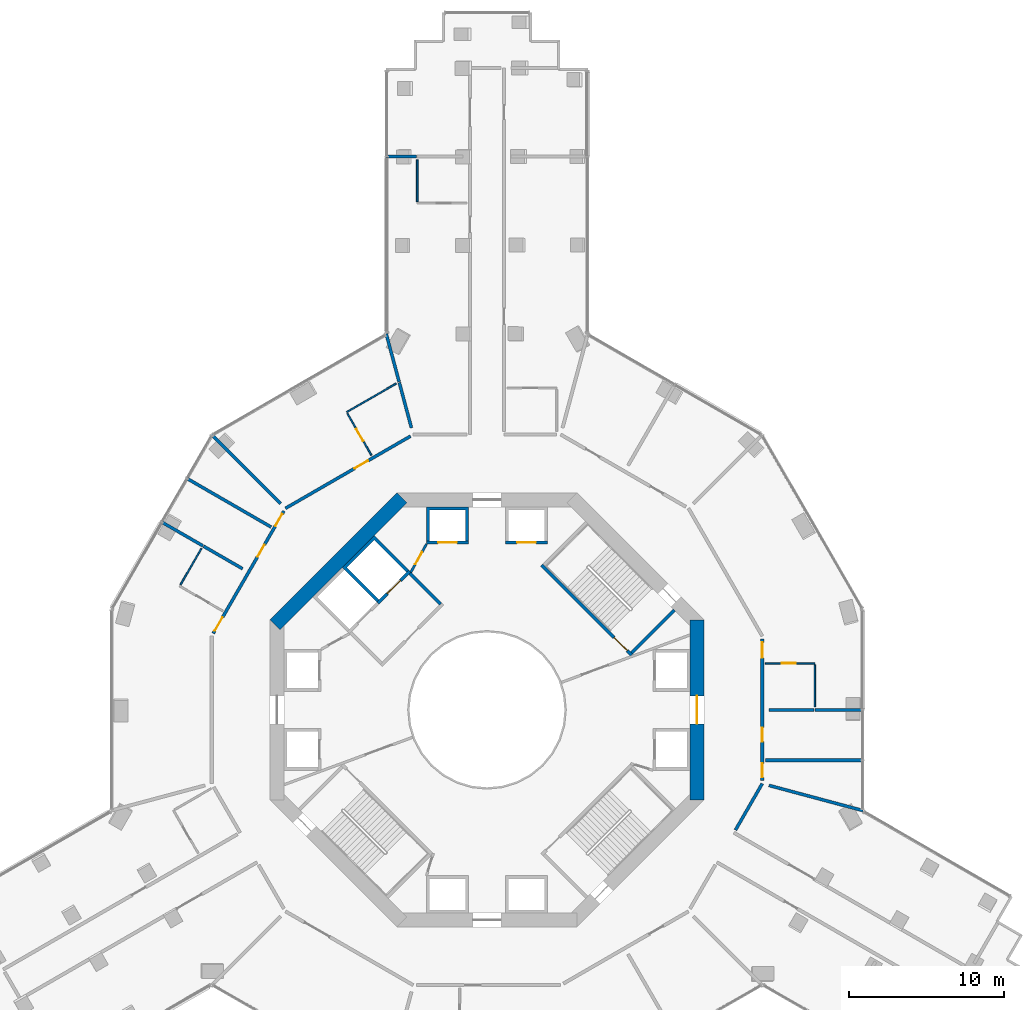
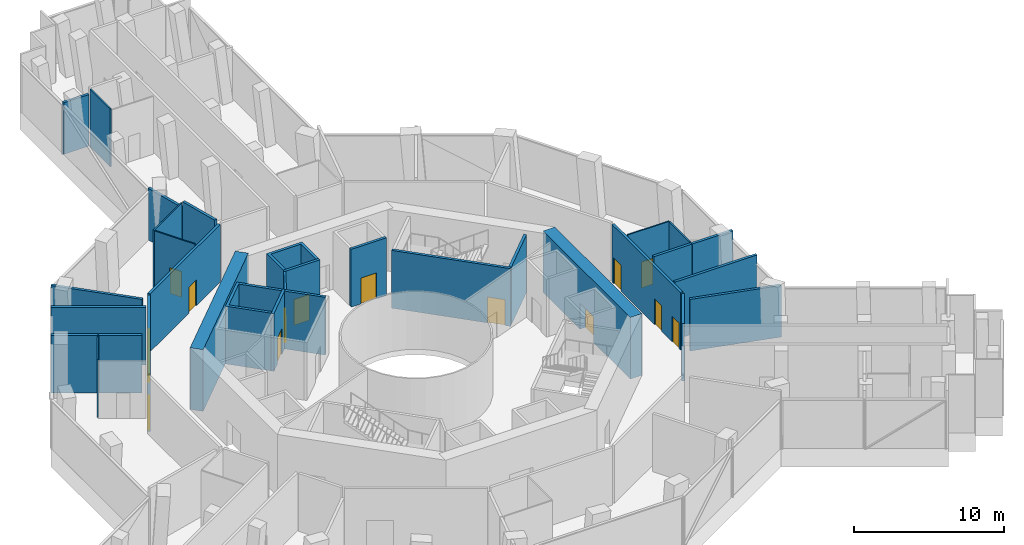
# One storey, part 11 of 16: 32 walls, 15 doors, 15 openings.
"""IFC4 building model written with IfcOpenShell, lengths in metres."""

from ifc_helpers import new_model, si_unit, direction, frame, frame_2d, origin, place, context, subcontext, project, spatial, polyline, rectangle, outline, extrude, material, layer, layer_set, type_object, element, fill, save


model = new_model("IFC4")

# Units and contexts
model_context = context("Model", 3, precision=1e-05, world=origin(), true_north=direction((0.0, 1.0)))
body_context = subcontext(model_context, "Body", "Model", "MODEL_VIEW")
ifc_project = project(units=[si_unit("LENGTHUNIT", "METRE"), si_unit("AREAUNIT", "SQUARE_METRE"), si_unit("VOLUMEUNIT", "CUBIC_METRE"), si_unit("PLANEANGLEUNIT", "RADIAN"), si_unit("MASSUNIT", "GRAM", prefix="KILO")], contexts=[model_context])

# Site, building, storey
site_placement = place(None, origin())
site = spatial("IfcSite", under=ifc_project, at=site_placement, CompositionType="ELEMENT")
building_placement = place(site_placement, origin())
building = spatial("IfcBuilding", under=site, at=building_placement, Name="Verdalira Terraces Hotel", CompositionType="ELEMENT")
storey_placement = place(building_placement, frame((0.0, 0.0, 34.0)))
storey = spatial("IfcBuildingStorey", under=building, at=storey_placement, Name="L06", CompositionType="ELEMENT", Elevation=34.0)

# Wall
ifc_material_1 = material(Name="Moisture-resistant gypsum board partition")
ifc_layer_1 = layer(ifc_material_1, 0.10009765625)
ifc_layer_set_1 = layer_set([ifc_layer_1], Name="Bathroom partition 100 mm")
wall_type_1 = type_object("IfcWallType", Name="Bathroom partition 100 mm", PredefinedType="PARTITIONING", material=ifc_layer_set_1)
wall_1_placement = place(storey_placement, frame((-19.773682, 8.067627, 0.0), z_axis=(0.0, 0.0, 1.0), x_axis=(0.500009434, 0.866019957, 0.0)))
element("IfcWall", 1, at=wall_1_placement, inside=storey, type_object=wall_type_1, Name="Bathroom partition", PredefinedType="PARTITIONING", context=body_context, shape_type="SweptSolid", body=[
    extrude(rectangle(XDim=2.700195, YDim=0.100098, at=frame_2d((1.350098, 0.0))), origin(), (0.0, 0.0, 1.0), 4.689941),
])

# Wall, opening, door
wall_2_placement = place(storey_placement, frame((-9.006348, 19.116211, 0.0), z_axis=(0.0, 0.0, 1.0), x_axis=(0.499992859, -0.866029527, 0.0)))
wall_2 = element("IfcWall", 2, at=wall_2_placement, inside=storey, type_object=wall_type_1, Name="Bathroom partition", PredefinedType="PARTITIONING", context=body_context, shape_type="SweptSolid", body=[
    extrude(rectangle(XDim=3.100098, YDim=0.100098, at=frame_2d((1.550049, 0.0))), origin(), (0.0, 0.0, 1.0), 4.689941),
])
opening_1_placement = place(wall_2_placement, frame((1.149902, 0.0, 0.0)))
opening_1 = element("IfcOpeningElement", 3, at=opening_1_placement, cuts=wall_2, Name="Opening L06-108", PredefinedType="OPENING", context=body_context, shape_type="SweptSolid", body=[
    extrude(rectangle(XDim=0.899902, YDim=2.100098, at=frame_2d((0.449951, 1.050049))), frame((0.0, 0.060059, 0.0), z_axis=(0.0, -1.0, 0.0), x_axis=(1.0, 0.0, 0.0)), (0.0, 0.0, 1.0), 0.120117),
])
ifc_material_2 = material(Name="Timber door", Category="wood")
door_type_1 = type_object("IfcDoorType", Name="Bathroom door 900 x 2100", OperationType="NOTDEFINED", PredefinedType="DOOR", material=ifc_material_2)
door_1_placement = place(opening_1_placement, origin())
door_1 = element("IfcDoor", 4, at=door_1_placement, inside=storey, type_object=door_type_1, Name="Bathroom door 0605", OperationType="SINGLE_SWING_LEFT", OverallHeight=2.10009765625, OverallWidth=0.89990234375, PredefinedType="DOOR", context=body_context, shape_type="SweptSolid", body=[
    extrude(rectangle(XDim=0.899902, YDim=2.100098, at=frame_2d((0.449951, 1.050049))), frame((0.0, 0.024902, 0.0), z_axis=(0.0, -1.0, 0.0), x_axis=(1.0, 0.0, 0.0)), (0.0, 0.0, 1.0), 0.050049),
])
fill(opening_1, door_1)

# Walls
wall_3_placement = place(storey_placement, frame((-9.056396, 19.202881, 0.0), z_axis=(0.0, 0.0, 1.0), x_axis=(0.866048384, 0.499960194, 0.0)))
element("IfcWall", 5, at=wall_3_placement, inside=storey, type_object=wall_type_1, Name="Bathroom partition", PredefinedType="PARTITIONING", context=body_context, shape_type="SweptSolid", body=[
    extrude(rectangle(XDim=3.703857, YDim=0.100098, at=frame_2d((1.852051, 0.0))), origin(), (0.0, 0.0, 1.0), 4.689941),
])
wall_4_placement = place(storey_placement, frame((-4.5, 32.786133, 0.0), z_axis=(0.0, 0.0, 1.0), x_axis=(0.0, 1.0, 0.0)))
element("IfcWall", 6, at=wall_4_placement, inside=storey, type_object=wall_type_1, Name="Bathroom partition", PredefinedType="PARTITIONING", context=body_context, shape_type="SweptSolid", body=[
    extrude(rectangle(XDim=2.699951, YDim=0.100098, at=frame_2d((1.350098, 0.0))), origin(), (0.0, 0.0, 1.0), 4.689941),
])

# Wall, opening, door
wall_5_placement = place(storey_placement, frame((21.158203, 3.0, 0.0), z_axis=(0.0, 0.0, 1.0), x_axis=(-1.0, 0.0, 0.0)))
wall_5 = element("IfcWall", 7, at=wall_5_placement, inside=storey, type_object=wall_type_1, Name="Bathroom partition", PredefinedType="PARTITIONING", context=body_context, shape_type="SweptSolid", body=[
    extrude(rectangle(XDim=3.199951, YDim=0.100098, at=frame_2d((1.600098, 0.0))), origin(), (0.0, 0.0, 1.0), 4.689941),
])
opening_2_placement = place(wall_5_placement, frame((1.25, 0.0, 0.0)))
opening_2 = element("IfcOpeningElement", 8, at=opening_2_placement, cuts=wall_5, Name="Opening L06-123", PredefinedType="OPENING", context=body_context, shape_type="SweptSolid", body=[
    extrude(rectangle(XDim=0.899902, YDim=2.100098, at=frame_2d((0.449951, 1.050049))), frame((0.0, 0.060059, 0.0), z_axis=(0.0, -1.0, 0.0), x_axis=(1.0, 0.0, 0.0)), (0.0, 0.0, 1.0), 0.120117),
])
door_2_placement = place(opening_2_placement, origin())
door_2 = element("IfcDoor", 9, at=door_2_placement, inside=storey, type_object=door_type_1, Name="Bathroom door 0615", OperationType="SINGLE_SWING_LEFT", OverallHeight=2.10009765625, OverallWidth=0.89990234375, PredefinedType="DOOR", context=body_context, shape_type="SweptSolid", body=[
    extrude(rectangle(XDim=0.899902, YDim=2.100098, at=frame_2d((0.449951, 1.050049))), frame((0.0, 0.024902, 0.0), z_axis=(0.0, -1.0, 0.0), x_axis=(1.0, 0.0, 0.0)), (0.0, 0.0, 1.0), 0.050049),
])
fill(opening_2, door_2)

# Wall
wall_6_placement = place(storey_placement, frame((21.158203, 2.899902, 0.0), z_axis=(0.0, 0.0, 1.0), x_axis=(0.0, -1.0, 0.0)))
element("IfcWall", 10, at=wall_6_placement, inside=storey, type_object=wall_type_1, Name="Bathroom partition", PredefinedType="PARTITIONING", context=body_context, shape_type="SweptSolid", body=[
    extrude(rectangle(XDim=2.699951, YDim=0.100098, at=frame_2d((1.350098, 0.0))), origin(), (0.0, 0.0, 1.0), 4.689941),
])

# Wall, opening, door
ifc_material_3 = material(Name="Concrete C50", Category="concrete")
ifc_layer_2 = layer(ifc_material_3, 0.199951171875)
ifc_layer_set_2 = layer_set([ifc_layer_2], Name="Core RC wall 200 C50")
wall_type_2 = type_object("IfcWallType", Name="Core RC wall 200 C50", PredefinedType="SOLIDWALL", material=ifc_layer_set_2)
wall_7_placement = place(storey_placement, frame((1.199951, 10.800049, 0.0), z_axis=(0.0, 0.0, 1.0), x_axis=(1.0, 0.0, 0.0)))
wall_7 = element("IfcWall", 11, at=wall_7_placement, inside=storey, type_object=wall_type_2, Name="L06 shaft front wall N1", PredefinedType="SOLIDWALL", context=body_context, shape_type="SweptSolid", body=[
    extrude(rectangle(XDim=2.699951, YDim=0.199951, at=frame_2d((1.350098, 0.0))), origin(), (0.0, 0.0, 1.0), 4.689941),
])
opening_3_placement = place(wall_7_placement, frame((0.75, 0.0, 0.0)))
opening_3 = element("IfcOpeningElement", 12, at=opening_3_placement, cuts=wall_7, Name="Opening LD-L06-803", PredefinedType="OPENING", context=body_context, shape_type="SweptSolid", body=[
    extrude(rectangle(XDim=1.199951, YDim=2.100098, at=frame_2d((0.600098, 1.050049))), frame((0.0, 0.109863, 0.0), z_axis=(0.0, -1.0, 0.0), x_axis=(1.0, 0.0, 0.0)), (0.0, 0.0, 1.0), 0.219971),
])
ifc_material_4 = material(Name="Stainless steel", Category="steel")
door_type_2 = type_object("IfcDoorType", Name="Landing door 1200 x 2100", OperationType="NOTDEFINED", PredefinedType="DOOR", material=ifc_material_4)
door_3_placement = place(opening_3_placement, origin())
door_3 = element("IfcDoor", 13, at=door_3_placement, inside=storey, type_object=door_type_2, Name="Lift landing door LR3 L06", OperationType="DOUBLE_DOOR_SLIDING", OverallHeight=2.10009765625, OverallWidth=1.199951171875, PredefinedType="DOOR", context=body_context, shape_type="SweptSolid", body=[
    extrude(rectangle(XDim=1.199951, YDim=2.100098, at=frame_2d((0.600098, 1.050049))), frame((0.0, 0.024902, 0.0), z_axis=(0.0, -1.0, 0.0), x_axis=(1.0, 0.0, 0.0)), (0.0, 0.0, 1.0), 0.050049),
])
fill(opening_3, door_3)

# Wall
wall_8_placement = place(storey_placement, origin())
element("IfcWall", 14, at=wall_8_placement, inside=storey, type_object=wall_type_2, Name="L06 shaft wall N2", PredefinedType="SOLIDWALL", context=body_context, shape_type="SweptSolid", body=[
    extrude(outline(polyline([(-3.899902, 10.899902), (-3.899902, 13.100098), (-1.199951, 13.100098), (-1.199951, 10.899902), (-1.399902, 10.899902), (-1.399902, 12.899902), (-3.699951, 12.899902), (-3.699951, 10.899902), (-3.899902, 10.899902)])), origin(), (0.0, 0.0, 1.0), 4.689941),
])

# Wall, opening, door
wall_9_placement = place(storey_placement, frame((-1.199951, 10.800049, 0.0), z_axis=(0.0, 0.0, 1.0), x_axis=(-1.0, 0.0, 0.0)))
wall_9 = element("IfcWall", 15, at=wall_9_placement, inside=storey, type_object=wall_type_2, Name="L06 shaft front wall N2", PredefinedType="SOLIDWALL", context=body_context, shape_type="SweptSolid", body=[
    extrude(rectangle(XDim=2.699951, YDim=0.199951, at=frame_2d((1.350098, 0.0))), origin(), (0.0, 0.0, 1.0), 4.689941),
])
opening_4_placement = place(wall_9_placement, frame((0.75, 0.0, 0.0)))
opening_4 = element("IfcOpeningElement", 16, at=opening_4_placement, cuts=wall_9, Name="Opening LD-L06-804", PredefinedType="OPENING", context=body_context, shape_type="SweptSolid", body=[
    extrude(rectangle(XDim=1.199951, YDim=2.100098, at=frame_2d((0.600098, 1.050049))), frame((0.0, 0.109863, 0.0), z_axis=(0.0, -1.0, 0.0), x_axis=(1.0, 0.0, 0.0)), (0.0, 0.0, 1.0), 0.219971),
])
door_4_placement = place(opening_4_placement, origin())
door_4 = element("IfcDoor", 17, at=door_4_placement, inside=storey, type_object=door_type_2, Name="Lift landing door LR4 L06", OperationType="DOUBLE_DOOR_SLIDING", OverallHeight=2.10009765625, OverallWidth=1.199951171875, PredefinedType="DOOR", context=body_context, shape_type="SweptSolid", body=[
    extrude(rectangle(XDim=1.199951, YDim=2.100098, at=frame_2d((0.600098, 1.050049))), frame((0.0, 0.024902, 0.0), z_axis=(0.0, -1.0, 0.0), x_axis=(1.0, 0.0, 0.0)), (0.0, 0.0, 1.0), 0.050049),
])
fill(opening_4, door_4)

# Wall
wall_10_placement = place(storey_placement, origin())
element("IfcWall", 18, at=wall_10_placement, inside=storey, type_object=wall_type_2, Name="L06 shaft wall F1", PredefinedType="SOLIDWALL", context=body_context, shape_type="SweptSolid", body=[
    extrude(outline(polyline([(-9.33374, 9.192383), (-7.283203, 11.24292), (-5.055908, 9.015625), (-5.197266, 8.874268), (-7.283203, 10.960205), (-9.051025, 9.192383), (-6.965088, 7.106445), (-7.106445, 6.965088), (-9.33374, 9.192383)])), origin(), (0.0, 0.0, 1.0), 4.689941),
])

# Wall, opening, door
wall_11_placement = place(storey_placement, frame((-4.985107, 8.944824, 0.0), z_axis=(0.0, 0.0, 1.0), x_axis=(-0.707106781, -0.707106781, 0.0)))
wall_11 = element("IfcWall", 19, at=wall_11_placement, inside=storey, type_object=wall_type_2, Name="L06 shaft front wall F1", PredefinedType="SOLIDWALL", context=body_context, shape_type="SweptSolid", body=[
    extrude(rectangle(XDim=2.899902, YDim=0.199951, at=frame_2d((1.449951, 0.0))), origin(), (0.0, 0.0, 1.0), 4.689941),
])
opening_5_placement = place(wall_11_placement, frame((0.850098, 0.0, 0.0)))
opening_5 = element("IfcOpeningElement", 20, at=opening_5_placement, cuts=wall_11, Name="Opening LD-L06-807", PredefinedType="OPENING", context=body_context, shape_type="SweptSolid", body=[
    extrude(rectangle(XDim=1.199951, YDim=2.100098, at=frame_2d((0.600098, 1.050049))), frame((0.0, 0.109863, 0.0), z_axis=(0.0, -1.0, 0.0), x_axis=(1.0, 0.0, 0.0)), (0.0, 0.0, 1.0), 0.219971),
])
door_5_placement = place(opening_5_placement, origin())
door_5 = element("IfcDoor", 21, at=door_5_placement, inside=storey, type_object=door_type_2, Name="Lift landing door LF11 L06", OperationType="DOUBLE_DOOR_SLIDING", OverallHeight=2.10009765625, OverallWidth=1.199951171875, PredefinedType="DOOR", context=body_context, shape_type="SweptSolid", body=[
    extrude(rectangle(XDim=1.199951, YDim=2.100098, at=frame_2d((0.600098, 1.050049))), frame((0.0, 0.024902, 0.0), z_axis=(0.0, -1.0, 0.0), x_axis=(1.0, 0.0, 0.0)), (0.0, 0.0, 1.0), 0.050049),
])
fill(opening_5, door_5)

wall_12_placement = place(storey_placement, frame((3.5354, 9.33374, 0.0), z_axis=(0.0, 0.0, 1.0), x_axis=(0.707106781, -0.707106781, 0.0)))
wall_12 = element("IfcWall", 22, at=wall_12_placement, inside=storey, type_object=wall_type_2, Name="L06 stair ST1 front wall", PredefinedType="SOLIDWALL", context=body_context, shape_type="SweptSolid", body=[
    extrude(rectangle(XDim=8.200195, YDim=0.199951, at=frame_2d((4.100098, 0.0))), origin(), (0.0, 0.0, 1.0), 4.689941),
])
opening_6_placement = place(wall_12_placement, frame((6.600098, 0.0, 0.0)))
opening_6 = element("IfcOpeningElement", 23, at=opening_6_placement, cuts=wall_12, Name="Opening L06-809", PredefinedType="OPENING", context=body_context, shape_type="SweptSolid", body=[
    extrude(rectangle(XDim=1.199951, YDim=2.100098, at=frame_2d((0.600098, 1.050049))), frame((0.0, 0.109863, 0.0), z_axis=(0.0, -1.0, 0.0), x_axis=(1.0, 0.0, 0.0)), (0.0, 0.0, 1.0), 0.219971),
])
ifc_material_5 = material(Name="Steel fire door", Category="steel")
door_type_3 = type_object("IfcDoorType", Name="Stair door 1200 x 2100", OperationType="NOTDEFINED", PredefinedType="DOOR", material=ifc_material_5)
door_6_placement = place(opening_6_placement, origin())
door_6 = element("IfcDoor", 24, at=door_6_placement, inside=storey, type_object=door_type_3, Name="Stair door ST1 L06", OperationType="SINGLE_SWING_RIGHT", OverallHeight=2.10009765625, OverallWidth=1.199951171875, PredefinedType="DOOR", context=body_context, shape_type="SweptSolid", body=[
    extrude(rectangle(XDim=1.199951, YDim=2.100098, at=frame_2d((0.600098, 1.050049))), frame((0.0, 0.024902, 0.0), z_axis=(0.0, -1.0, 0.0), x_axis=(1.0, 0.0, 0.0)), (0.0, 0.0, 1.0), 0.050049),
])
fill(opening_6, door_6)

# Walls
wall_13_placement = place(storey_placement, frame((9.33374, 3.677002, 0.0), z_axis=(0.0, 0.0, 1.0), x_axis=(0.707106781, 0.707106781, 0.0)))
element("IfcWall", 25, at=wall_13_placement, inside=storey, type_object=wall_type_2, Name="L06 stair ST1 end wall 1", PredefinedType="SOLIDWALL", context=body_context, shape_type="SweptSolid", body=[
    extrude(rectangle(XDim=3.900146, YDim=0.199951, at=frame_2d((1.950195, 0.0))), origin(), (0.0, 0.0, 1.0), 4.689941),
])
wall_14_placement = place(storey_placement, frame((-3.005127, 6.823486, 0.0), z_axis=(0.0, 0.0, 1.0), x_axis=(-0.707106781, 0.707106781, 0.0)))
element("IfcWall", 26, at=wall_14_placement, inside=storey, type_object=wall_type_2, Name="L06 fire lobby wall", PredefinedType="SOLIDWALL", context=body_context, shape_type="SweptSolid", body=[
    extrude(rectangle(XDim=2.800049, YDim=0.199951, at=frame_2d((1.399902, 0.0))), origin(), (0.0, 0.0, 1.0), 4.689941),
])

# Wall, opening, door
ifc_material_6 = material(Name="Gypsum board partition")
ifc_layer_3 = layer(ifc_material_6, 0.14990234375)
ifc_layer_set_3 = layer_set([ifc_layer_3], Name="Core partition 150 mm")
wall_type_3 = type_object("IfcWallType", Name="Core partition 150 mm", PredefinedType="PARTITIONING", material=ifc_layer_set_3)
wall_15_placement = place(storey_placement, frame((-3.899902, 10.699951, 0.0), z_axis=(0.0, 0.0, 1.0), x_axis=(-0.485692555, -0.874129705, 0.0)))
wall_15 = element("IfcWall", 27, at=wall_15_placement, inside=storey, type_object=wall_type_3, Name="Room partition L06", PredefinedType="PARTITIONING", context=body_context, shape_type="SweptSolid", body=[
    extrude(rectangle(XDim=2.088623, YDim=0.149902, at=frame_2d((1.044434, 0.0))), origin(), (0.0, 0.0, 1.0), 4.689941),
])
opening_7_placement = place(wall_15_placement, frame((0.594238, 0.0, 0.0)))
opening_7 = element("IfcOpeningElement", 28, at=opening_7_placement, cuts=wall_15, Name="Opening L06-820", PredefinedType="OPENING", context=body_context, shape_type="SweptSolid", body=[
    extrude(rectangle(XDim=0.899902, YDim=2.100098, at=frame_2d((0.449951, 1.050049))), frame((0.0, 0.084961, 0.0), z_axis=(0.0, -1.0, 0.0), x_axis=(1.0, 0.0, 0.0)), (0.0, 0.0, 1.0), 0.169922),
])
ifc_material_7 = material(Name="Steel fire door", Category="steel")
door_type_4 = type_object("IfcDoorType", Name="Core room door 900 x 2100", OperationType="NOTDEFINED", PredefinedType="DOOR", material=ifc_material_7)
door_7_placement = place(opening_7_placement, origin())
door_7 = element("IfcDoor", 29, at=door_7_placement, inside=storey, type_object=door_type_4, Name="Door L06 room2", OperationType="SINGLE_SWING_LEFT", OverallHeight=2.10009765625, OverallWidth=0.89990234375, PredefinedType="DOOR", context=body_context, shape_type="SweptSolid", body=[
    extrude(rectangle(XDim=0.899902, YDim=2.100098, at=frame_2d((0.449951, 1.050049))), frame((0.0, 0.024902, 0.0), z_axis=(0.0, -1.0, 0.0), x_axis=(1.0, 0.0, 0.0)), (0.0, 0.0, 1.0), 0.050049),
])
fill(opening_7, door_7)

ifc_material_8 = material(Name="Concrete C70", Category="concrete")
ifc_layer_4 = layer(ifc_material_8, 0.89990234375)
ifc_layer_set_4 = layer_set([ifc_layer_4], Name="Core wall 900 C70")
wall_type_4 = type_object("IfcWallType", Name="Core wall 900 C70", PredefinedType="SHEAR", material=ifc_layer_set_4)
wall_16_placement = place(storey_placement, frame((13.550049, -5.799072, 0.0), z_axis=(0.0, 0.0, 1.0), x_axis=(0.0, 1.0, 0.0)))
wall_16 = element("IfcWall", 30, at=wall_16_placement, inside=storey, type_object=wall_type_4, Name="Core wall CW-L06-1", PredefinedType="SHEAR", context=body_context, shape_type="SweptSolid", body=[
    extrude(rectangle(XDim=11.598145, YDim=0.899902, at=frame_2d((5.799072, 0.0))), origin(), (0.0, 0.0, 1.0), 5.0),
])
opening_8_placement = place(wall_16_placement, frame((4.898926, 0.0, 0.0)))
opening_8 = element("IfcOpeningElement", 31, at=opening_8_placement, cuts=wall_16, Name="Opening L06-812", PredefinedType="OPENING", context=body_context, shape_type="SweptSolid", body=[
    extrude(rectangle(XDim=1.800049, YDim=2.100098, at=frame_2d((0.899902, 1.050049))), frame((0.0, 0.459961, 0.0), z_axis=(0.0, -1.0, 0.0), x_axis=(1.0, 0.0, 0.0)), (0.0, 0.0, 1.0), 0.919922),
])
ifc_material_9 = material(Name="Steel fire door", Category="steel")
door_type_5 = type_object("IfcDoorType", Name="Core entry door pair 1800 x 2100", OperationType="NOTDEFINED", PredefinedType="DOOR", material=ifc_material_9)
door_8_placement = place(opening_8_placement, origin())
door_8 = element("IfcDoor", 32, at=door_8_placement, inside=storey, type_object=door_type_5, Name="Core entry door L06 0", OperationType="DOUBLE_DOOR_SINGLE_SWING", OverallHeight=2.10009765625, OverallWidth=1.800048828125, PredefinedType="DOOR", context=body_context, shape_type="SweptSolid", body=[
    extrude(rectangle(XDim=1.800049, YDim=2.100098, at=frame_2d((0.899902, 1.050049))), frame((0.0, 0.024902, 0.0), z_axis=(0.0, -1.0, 0.0), x_axis=(1.0, 0.0, 0.0)), (0.0, 0.0, 1.0), 0.050049),
])
fill(opening_8, door_8)

# Walls
wall_17_placement = place(storey_placement, frame((-5.480713, 13.681885, 0.0), z_axis=(0.0, 0.0, 1.0), x_axis=(-0.707106781, -0.707106781, 0.0)))
element("IfcWall", 33, at=wall_17_placement, inside=storey, type_object=wall_type_4, Name="Core wall CW-L06-4", PredefinedType="SHEAR", context=body_context, shape_type="SweptSolid", body=[
    extrude(rectangle(XDim=11.598145, YDim=0.899902, at=frame_2d((5.799072, 0.0))), origin(), (0.0, 0.0, 1.0), 5.0),
])
ifc_material_10 = material(Name="Fire-rated gypsum board wall")
ifc_layer_5 = layer(ifc_material_10, 0.199951171875)
ifc_layer_set_5 = layer_set([ifc_layer_5], Name="Demising wall 200 mm")
wall_type_5 = type_object("IfcWallType", Name="Demising wall 200 mm", PredefinedType="SOLIDWALL", material=ifc_layer_set_5)
wall_18_placement = place(storey_placement, frame((-4.874023, 18.19043, 0.0), z_axis=(0.0, 0.0, 1.0), x_axis=(-0.258853085, 0.965916705, 0.0)))
element("IfcWall", 34, at=wall_18_placement, inside=storey, type_object=wall_type_5, Name="Demising wall", PredefinedType="SOLIDWALL", context=body_context, shape_type="SweptSolid", body=[
    extrude(rectangle(XDim=3.024658, YDim=0.199951, at=frame_2d((1.512207, 0.0))), origin(), (0.0, 0.0, 1.0), 4.689941),
])
ifc_material_11 = material(Name="Fire-rated gypsum board wall")
ifc_layer_6 = layer(ifc_material_11, 0.199951171875)
ifc_layer_set_6 = layer_set([ifc_layer_6], Name="Demising wall 200 mm to beam soffit")
wall_type_6 = type_object("IfcWallType", Name="Demising wall 200 mm to beam soffit", PredefinedType="SOLIDWALL", material=ifc_layer_set_6)
wall_19_placement = place(storey_placement, frame((-5.668701, 21.15625, 0.0), z_axis=(0.0, 0.0, 1.0), x_axis=(-0.25885008, 0.96591751, 0.0)))
element("IfcWall", 35, at=wall_19_placement, inside=storey, type_object=wall_type_6, Name="Demising wall", PredefinedType="SOLIDWALL", context=body_context, shape_type="SweptSolid", body=[
    extrude(rectangle(XDim=3.211426, YDim=0.199951, at=frame_2d((1.605713, 0.0))), origin(), (0.0, 0.0, 1.0), 4.189941),
])
wall_20_placement = place(storey_placement, frame((-4.548096, 35.686035, 0.0), z_axis=(0.0, 0.0, 1.0), x_axis=(-1.0, 0.0, 0.0)))
element("IfcWall", 36, at=wall_20_placement, inside=storey, type_object=wall_type_6, Name="Demising wall", PredefinedType="SOLIDWALL", context=body_context, shape_type="SweptSolid", body=[
    extrude(rectangle(XDim=1.951904, YDim=0.199951, at=frame_2d((0.976074, 0.0))), origin(), (0.0, 0.0, 1.0), 4.189941),
])

# Wall, openings, doors
ifc_material_12 = material(Name="Fire-rated gypsum board wall")
ifc_layer_7 = layer(ifc_material_12, 0.199951171875)
ifc_layer_set_7 = layer_set([ifc_layer_7], Name="Guest corridor wall 200 mm")
wall_type_7 = type_object("IfcWallType", Name="Guest corridor wall 200 mm", PredefinedType="SOLIDWALL", material=ifc_layer_set_7)
wall_21_placement = place(storey_placement, frame((-17.658203, 4.931885, 0.0), z_axis=(0.0, 0.0, 1.0), x_axis=(0.49999291, 0.866029497, 0.0)))
wall_21 = element("IfcWall", 37, at=wall_21_placement, inside=storey, type_object=wall_type_7, Name="Guest corridor wall", PredefinedType="SOLIDWALL", context=body_context, shape_type="SweptSolid", body=[
    extrude(rectangle(XDim=9.116455, YDim=0.199951, at=frame_2d((4.558105, 0.0))), origin(), (0.0, 0.0, 1.0), 4.689941),
])
opening_9_placement = place(wall_21_placement, frame((0.199951, 0.0, 0.0)))
opening_9 = element("IfcOpeningElement", 38, at=opening_9_placement, cuts=wall_21, Name="Opening L06-109", PredefinedType="OPENING", context=body_context, shape_type="SweptSolid", body=[
    extrude(rectangle(XDim=1.0, YDim=2.100098, at=frame_2d((0.5, 1.050049))), frame((0.0, 0.109863, 0.0), z_axis=(0.0, -1.0, 0.0), x_axis=(1.0, 0.0, 0.0)), (0.0, 0.0, 1.0), 0.219971),
])
opening_10_placement = place(wall_21_placement, frame((8.007812, 0.0, 0.0)))
opening_10 = element("IfcOpeningElement", 39, at=opening_10_placement, cuts=wall_21, Name="Opening L06-126", PredefinedType="OPENING", context=body_context, shape_type="SweptSolid", body=[
    extrude(rectangle(XDim=0.899902, YDim=2.100098, at=frame_2d((0.449951, 1.050049))), frame((0.0, 0.109863, 0.0), z_axis=(0.0, -1.0, 0.0), x_axis=(1.0, 0.0, 0.0)), (0.0, 0.0, 1.0), 0.219971),
])
opening_11_placement = place(wall_21_placement, frame((5.707764, 0.0, 0.0)))
opening_11 = element("IfcOpeningElement", 40, at=opening_11_placement, cuts=wall_21, Name="Opening L06-127", PredefinedType="OPENING", context=body_context, shape_type="SweptSolid", body=[
    extrude(rectangle(XDim=0.899902, YDim=2.100098, at=frame_2d((0.449951, 1.050049))), frame((0.0, 0.109863, 0.0), z_axis=(0.0, -1.0, 0.0), x_axis=(1.0, 0.0, 0.0)), (0.0, 0.0, 1.0), 0.219971),
])
ifc_material_13 = material(Name="Timber fire door", Category="wood")
door_type_6 = type_object("IfcDoorType", Name="Guest entry door 1000 x 2100", OperationType="NOTDEFINED", PredefinedType="DOOR", material=ifc_material_13)
door_9_placement = place(opening_9_placement, origin())
door_9 = element("IfcDoor", 41, at=door_9_placement, inside=storey, type_object=door_type_6, Name="Guest entry door 0606", OperationType="SINGLE_SWING_LEFT", OverallHeight=2.10009765625, OverallWidth=1.0, PredefinedType="DOOR", context=body_context, shape_type="SweptSolid", body=[
    extrude(rectangle(XDim=1.0, YDim=2.100098, at=frame_2d((0.5, 1.050049))), frame((0.0, 0.024902, 0.0), z_axis=(0.0, -1.0, 0.0), x_axis=(1.0, 0.0, 0.0)), (0.0, 0.0, 1.0), 0.050049),
])
fill(opening_9, door_9)
ifc_material_14 = material(Name="Timber fire door", Category="wood")
door_type_7 = type_object("IfcDoorType", Name="Toilet door 900 x 2100", OperationType="NOTDEFINED", PredefinedType="DOOR", material=ifc_material_14)
door_10_placement = place(opening_10_placement, origin())
door_10 = element("IfcDoor", 42, at=door_10_placement, inside=storey, type_object=door_type_7, Name="Toilet door 0618", OperationType="SINGLE_SWING_LEFT", OverallHeight=2.10009765625, OverallWidth=0.89990234375, PredefinedType="DOOR", context=body_context, shape_type="SweptSolid", body=[
    extrude(rectangle(XDim=0.899902, YDim=2.100098, at=frame_2d((0.449951, 1.050049))), frame((0.0, 0.024902, 0.0), z_axis=(0.0, -1.0, 0.0), x_axis=(1.0, 0.0, 0.0)), (0.0, 0.0, 1.0), 0.050049),
])
fill(opening_10, door_10)
door_11_placement = place(opening_11_placement, origin())
door_11 = element("IfcDoor", 43, at=door_11_placement, inside=storey, type_object=door_type_7, Name="Toilet door 0619", OperationType="SINGLE_SWING_LEFT", OverallHeight=2.10009765625, OverallWidth=0.89990234375, PredefinedType="DOOR", context=body_context, shape_type="SweptSolid", body=[
    extrude(rectangle(XDim=0.899902, YDim=2.100098, at=frame_2d((0.449951, 1.050049))), frame((0.0, 0.024902, 0.0), z_axis=(0.0, -1.0, 0.0), x_axis=(1.0, 0.0, 0.0)), (0.0, 0.0, 1.0), 0.050049),
])
fill(opening_11, door_11)

# Wall, opening, door
wall_22_placement = place(storey_placement, frame((-13.0, 13.0, 0.0), z_axis=(0.0, 0.0, 1.0), x_axis=(0.866028487, 0.49999466, 0.0)))
wall_22 = element("IfcWall", 44, at=wall_22_placement, inside=storey, type_object=wall_type_7, Name="Guest corridor wall", PredefinedType="SOLIDWALL", context=body_context, shape_type="SweptSolid", body=[
    extrude(rectangle(XDim=9.316406, YDim=0.199951, at=frame_2d((4.658203, 0.0))), origin(), (0.0, 0.0, 1.0), 4.689941),
])
opening_12_placement = place(wall_22_placement, frame((5.149902, 0.0, 0.0)))
opening_12 = element("IfcOpeningElement", 45, at=opening_12_placement, cuts=wall_22, Name="Opening L06-107", PredefinedType="OPENING", context=body_context, shape_type="SweptSolid", body=[
    extrude(rectangle(XDim=1.0, YDim=2.100098, at=frame_2d((0.5, 1.050049))), frame((0.0, 0.109863, 0.0), z_axis=(0.0, -1.0, 0.0), x_axis=(1.0, 0.0, 0.0)), (0.0, 0.0, 1.0), 0.219971),
])
door_12_placement = place(opening_12_placement, origin())
door_12 = element("IfcDoor", 46, at=door_12_placement, inside=storey, type_object=door_type_6, Name="Guest entry door 0605", OperationType="SINGLE_SWING_LEFT", OverallHeight=2.10009765625, OverallWidth=1.0, PredefinedType="DOOR", context=body_context, shape_type="SweptSolid", body=[
    extrude(rectangle(XDim=1.0, YDim=2.100098, at=frame_2d((0.5, 1.050049))), frame((0.0, 0.024902, 0.0), z_axis=(0.0, -1.0, 0.0), x_axis=(1.0, 0.0, 0.0)), (0.0, 0.0, 1.0), 0.050049),
])
fill(opening_12, door_12)

# Wall
wall_23_placement = place(storey_placement, frame((16.029297, -7.753418, 0.0), z_axis=(0.0, 0.0, 1.0), x_axis=(0.499950595, 0.866053926, 0.0)))
element("IfcWall", 47, at=wall_23_placement, inside=storey, type_object=wall_type_7, Name="Guest corridor wall", PredefinedType="SOLIDWALL", context=body_context, shape_type="SweptSolid", body=[
    extrude(rectangle(XDim=3.458252, YDim=0.199951, at=frame_2d((1.729004, 0.0))), origin(), (0.0, 0.0, 1.0), 4.689941),
])

# Wall, openings, doors
wall_24_placement = place(storey_placement, frame((17.758301, 4.557861, 0.0), z_axis=(0.0, 0.0, 1.0), x_axis=(0.0, -1.0, 0.0)))
wall_24 = element("IfcWall", 48, at=wall_24_placement, inside=storey, type_object=wall_type_7, Name="Guest corridor wall", PredefinedType="SOLIDWALL", context=body_context, shape_type="SweptSolid", body=[
    extrude(rectangle(XDim=9.116211, YDim=0.199951, at=frame_2d((4.558105, 0.0))), origin(), (0.0, 0.0, 1.0), 4.689941),
])
opening_13_placement = place(wall_24_placement, frame((0.199951, 0.0, 0.0)))
opening_13 = element("IfcOpeningElement", 49, at=opening_13_placement, cuts=wall_24, Name="Opening L06-122", PredefinedType="OPENING", context=body_context, shape_type="SweptSolid", body=[
    extrude(rectangle(XDim=1.0, YDim=2.100098, at=frame_2d((0.5, 1.050049))), frame((0.0, 0.109863, 0.0), z_axis=(0.0, -1.0, 0.0), x_axis=(1.0, 0.0, 0.0)), (0.0, 0.0, 1.0), 0.219971),
])
opening_14_placement = place(wall_24_placement, frame((8.007812, 0.0, 0.0)))
opening_14 = element("IfcOpeningElement", 50, at=opening_14_placement, cuts=wall_24, Name="Opening L06-128", PredefinedType="OPENING", context=body_context, shape_type="SweptSolid", body=[
    extrude(rectangle(XDim=0.899902, YDim=2.100098, at=frame_2d((0.449951, 1.050049))), frame((0.0, 0.109863, 0.0), z_axis=(0.0, -1.0, 0.0), x_axis=(1.0, 0.0, 0.0)), (0.0, 0.0, 1.0), 0.219971),
])
opening_15_placement = place(wall_24_placement, frame((5.707764, 0.0, 0.0)))
opening_15 = element("IfcOpeningElement", 51, at=opening_15_placement, cuts=wall_24, Name="Opening L06-129", PredefinedType="OPENING", context=body_context, shape_type="SweptSolid", body=[
    extrude(rectangle(XDim=0.899902, YDim=2.100098, at=frame_2d((0.449951, 1.050049))), frame((0.0, 0.109863, 0.0), z_axis=(0.0, -1.0, 0.0), x_axis=(1.0, 0.0, 0.0)), (0.0, 0.0, 1.0), 0.219971),
])
door_13_placement = place(opening_13_placement, origin())
door_13 = element("IfcDoor", 52, at=door_13_placement, inside=storey, type_object=door_type_6, Name="Guest entry door 0615", OperationType="SINGLE_SWING_LEFT", OverallHeight=2.10009765625, OverallWidth=1.0, PredefinedType="DOOR", context=body_context, shape_type="SweptSolid", body=[
    extrude(rectangle(XDim=1.0, YDim=2.100098, at=frame_2d((0.5, 1.050049))), frame((0.0, 0.024902, 0.0), z_axis=(0.0, -1.0, 0.0), x_axis=(1.0, 0.0, 0.0)), (0.0, 0.0, 1.0), 0.050049),
])
fill(opening_13, door_13)
door_14_placement = place(opening_14_placement, origin())
door_14 = element("IfcDoor", 53, at=door_14_placement, inside=storey, type_object=door_type_7, Name="Toilet door 0620", OperationType="SINGLE_SWING_LEFT", OverallHeight=2.10009765625, OverallWidth=0.89990234375, PredefinedType="DOOR", context=body_context, shape_type="SweptSolid", body=[
    extrude(rectangle(XDim=0.899902, YDim=2.100098, at=frame_2d((0.449951, 1.050049))), frame((0.0, 0.024902, 0.0), z_axis=(0.0, -1.0, 0.0), x_axis=(1.0, 0.0, 0.0)), (0.0, 0.0, 1.0), 0.050049),
])
fill(opening_14, door_14)
door_15_placement = place(opening_15_placement, origin())
door_15 = element("IfcDoor", 54, at=door_15_placement, inside=storey, type_object=door_type_7, Name="Toilet door 0621", OperationType="SINGLE_SWING_LEFT", OverallHeight=2.10009765625, OverallWidth=0.89990234375, PredefinedType="DOOR", context=body_context, shape_type="SweptSolid", body=[
    extrude(rectangle(XDim=0.899902, YDim=2.100098, at=frame_2d((0.449951, 1.050049))), frame((0.0, 0.024902, 0.0), z_axis=(0.0, -1.0, 0.0), x_axis=(1.0, 0.0, 0.0)), (0.0, 0.0, 1.0), 0.050049),
])
fill(opening_15, door_15)

# Walls
ifc_material_15 = material(Name="Fire-rated gypsum board wall")
ifc_layer_8 = layer(ifc_material_15, 0.199951171875)
ifc_layer_set_8 = layer_set([ifc_layer_8], Name="Service room wall 200 mm")
wall_type_8 = type_object("IfcWallType", Name="Service room wall 200 mm", PredefinedType="SOLIDWALL", material=ifc_layer_set_8)
wall_25_placement = place(storey_placement, frame((-18.322021, 10.578125, 0.0), z_axis=(0.0, 0.0, 1.0), x_axis=(-0.86601126, 0.500024497, 0.0)))
element("IfcWall", 55, at=wall_25_placement, inside=storey, type_object=wall_type_8, Name="Service room wall", PredefinedType="SOLIDWALL", context=body_context, shape_type="SweptSolid", body=[
    extrude(rectangle(XDim=3.101807, YDim=0.199951, at=frame_2d((1.550781, 0.0))), origin(), (0.0, 0.0, 1.0), 4.689941),
])
wall_26_placement = place(storey_placement, frame((-15.766602, 9.102783, 0.0), z_axis=(0.0, 0.0, 1.0), x_axis=(-0.866005015, 0.500035313, 0.0)))
element("IfcWall", 56, at=wall_26_placement, inside=storey, type_object=wall_type_8, Name="Service room wall", PredefinedType="SOLIDWALL", context=body_context, shape_type="SweptSolid", body=[
    extrude(rectangle(XDim=2.904541, YDim=0.199951, at=frame_2d((1.452148, 0.0))), origin(), (0.0, 0.0, 1.0), 4.689941),
])
wall_27_placement = place(storey_placement, frame((-13.92749, 11.793701, 0.0), z_axis=(0.0, 0.0, 1.0), x_axis=(-0.866026184, 0.499998649, 0.0)))
element("IfcWall", 57, at=wall_27_placement, inside=storey, type_object=wall_type_8, Name="Service room wall", PredefinedType="SOLIDWALL", context=body_context, shape_type="SweptSolid", body=[
    extrude(rectangle(XDim=6.299805, YDim=0.199951, at=frame_2d((3.149902, 0.0))), origin(), (0.0, 0.0, 1.0), 4.689941),
])
wall_28_placement = place(storey_placement, frame((18.205566, 0.0, 0.0), z_axis=(0.0, 0.0, 1.0), x_axis=(1.0, 0.0, 0.0)))
element("IfcWall", 58, at=wall_28_placement, inside=storey, type_object=wall_type_8, Name="Service room wall", PredefinedType="SOLIDWALL", context=body_context, shape_type="SweptSolid", body=[
    extrude(rectangle(XDim=2.904785, YDim=0.199951, at=frame_2d((1.452393, 0.0))), origin(), (0.0, 0.0, 1.0), 4.689941),
])
wall_29_placement = place(storey_placement, frame((17.958252, -3.25, 0.0), z_axis=(0.0, 0.0, 1.0), x_axis=(1.0, 0.0, 0.0)))
element("IfcWall", 59, at=wall_29_placement, inside=storey, type_object=wall_type_8, Name="Service room wall", PredefinedType="SOLIDWALL", context=body_context, shape_type="SweptSolid", body=[
    extrude(rectangle(XDim=6.300049, YDim=0.199951, at=frame_2d((3.149902, 0.0))), origin(), (0.0, 0.0, 1.0), 4.689941),
])
wall_30_placement = place(storey_placement, frame((21.15625, 0.0, 0.0), z_axis=(0.0, 0.0, 1.0), x_axis=(1.0, 0.0, 0.0)))
element("IfcWall", 60, at=wall_30_placement, inside=storey, type_object=wall_type_8, Name="Service room wall", PredefinedType="SOLIDWALL", context=body_context, shape_type="SweptSolid", body=[
    extrude(rectangle(XDim=3.102051, YDim=0.199951, at=frame_2d((1.551025, 0.0))), origin(), (0.0, 0.0, 1.0), 4.689941),
])
ifc_material_16 = material(Name="Fire-rated gypsum board wall")
ifc_layer_9 = layer(ifc_material_16, 0.199951171875)
ifc_layer_set_9 = layer_set([ifc_layer_9], Name="Service room wall 200 mm to beam soffit")
wall_type_9 = type_object("IfcWallType", Name="Service room wall 200 mm to beam soffit", PredefinedType="SOLIDWALL", material=ifc_layer_set_9)
wall_31_placement = place(storey_placement, frame((-17.758301, 17.758301, 0.0), z_axis=(0.0, 0.0, 1.0), x_axis=(0.707106781, -0.707106781, 0.0)))
element("IfcWall", 61, at=wall_31_placement, inside=storey, type_object=wall_type_9, Name="Service room wall", PredefinedType="SOLIDWALL", context=body_context, shape_type="SweptSolid", body=[
    extrude(rectangle(XDim=6.282227, YDim=0.199951, at=frame_2d((3.141113, 0.0))), origin(), (0.0, 0.0, 1.0), 4.189941),
])
wall_32_placement = place(storey_placement, frame((18.19043, -4.874023, 0.0), z_axis=(0.0, 0.0, 1.0), x_axis=(0.965922029, -0.258833215, 0.0)))
element("IfcWall", 62, at=wall_32_placement, inside=storey, type_object=wall_type_9, Name="Service room wall", PredefinedType="SOLIDWALL", context=body_context, shape_type="SweptSolid", body=[
    extrude(rectangle(XDim=6.281982, YDim=0.199951, at=frame_2d((3.141113, 0.0))), origin(), (0.0, 0.0, 1.0), 4.189941),
])

save(model, "model.ifc")
